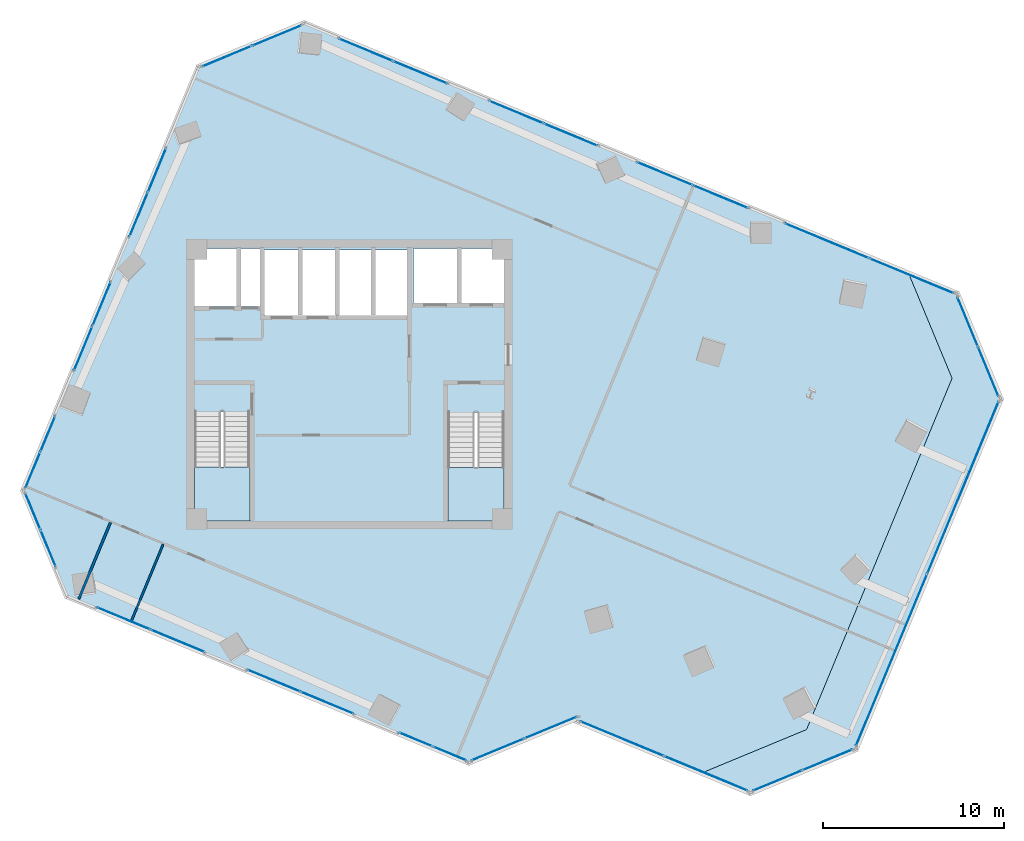
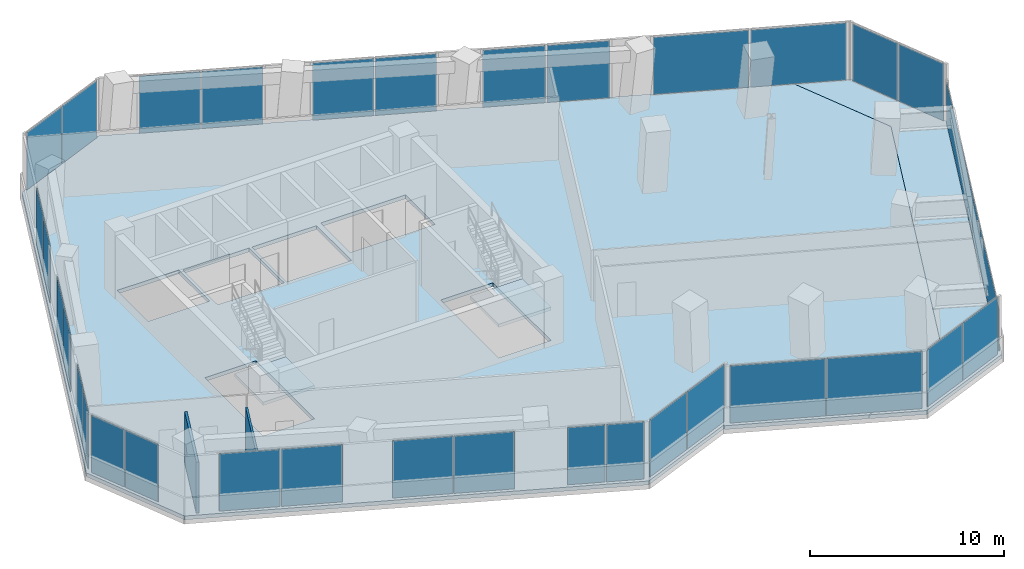
# One storey, part 17 of 23: 34 plates, 4 slabs, 2 walls, 19 elements without a shape of their own.
"""IFC4 building model written with IfcOpenShell, lengths in metres."""

from ifc_helpers import new_model, si_unit, direction, frame, frame_2d, origin, origin_2d, place, context, subcontext, project, spatial, polyline, rectangle, outline, extrude, source, transform, mapped, material, layer, layer_set, type_object, element, aggregate, save


model = new_model("IFC4")

# Units and contexts
model_context = context("Model", 3, precision=1e-05, world=origin(), true_north=direction((0.0, 1.0)))
body_context = subcontext(model_context, "Body", "Model", "MODEL_VIEW")
ifc_project = project(units=[si_unit("LENGTHUNIT", "METRE"), si_unit("AREAUNIT", "SQUARE_METRE"), si_unit("VOLUMEUNIT", "CUBIC_METRE"), si_unit("PLANEANGLEUNIT", "RADIAN"), si_unit("MASSUNIT", "GRAM", prefix="KILO")], contexts=[model_context])

# Site, building, storey
site_placement = place(None, origin())
site = spatial("IfcSite", under=ifc_project, at=site_placement, CompositionType="ELEMENT")
building_placement = place(site_placement, origin())
building = spatial("IfcBuilding", under=site, at=building_placement, Name="Torre Montelarca", CompositionType="ELEMENT")
storey_placement = place(building_placement, frame((0.0, 0.0, 145.60009765625)))
storey = spatial("IfcBuildingStorey", under=building, at=storey_placement, Name="L32", CompositionType="ELEMENT", Elevation=145.60009765625)

# Slabs
ifc_material_1 = material(Name="Concrete C40/50", Category="concrete")
ifc_layer_1 = layer(ifc_material_1, 0.239990234375, Name="Concrete C40/50", Category="concrete")
ifc_layer_set_1 = layer_set([ifc_layer_1], Name="Concrete C40/50")
slab_type_1 = type_object("IfcSlabType", Name="SL-FLR-240", PredefinedType="FLOOR", material=ifc_layer_set_1)
slab_1_placement = place(storey_placement, frame((0.0, 0.0, -0.239990234375)))
element("IfcSlab", 1, at=slab_1_placement, inside=storey, type_object=slab_type_1, Name="L32 Structural Floor Slab", PredefinedType="FLOOR", context=body_context, shape_type="SweptSolid", body=[
    extrude(outline(polyline([(24.60546875, 11.01416015625), (30.485107421875, 13.449462890625), (30.44677734375, 13.357177734375), (37.375732421875, 10.487060546875), (43.25537109375, 12.92236328125), (51.291748046875, 32.323974609375), (48.856201171875, 38.203369140625), (15.50439453125, 52.018310546875), (9.624755859375, 49.5830078125), (-0.095458984375, 26.1162109375), (2.340087890625, 20.23681640625), (24.60546875, 11.01416015625)]), holes=[polyline([(26.550048828125, 24.449951171875), (23.43994140625, 24.449951171875), (23.43994140625, 30.429931640625), (26.550048828125, 30.429931640625), (26.550048828125, 24.449951171875)]), polyline([(9.449951171875, 24.449951171875), (9.449951171875, 30.4599609375), (12.5, 30.4599609375), (12.5, 24.449951171875), (9.449951171875, 24.449951171875)]), polyline([(17.25, 35.800048828125), (13.300048828125, 35.800048828125), (13.300048828125, 39.39990234375), (17.25, 39.39990234375), (17.25, 35.800048828125)]), polyline([(21.25, 39.39990234375), (21.25, 35.800048828125), (17.39990234375, 35.800048828125), (17.39990234375, 39.39990234375), (21.25, 39.39990234375)]), polyline([(13.1201171875, 36.300048828125), (9.449951171875, 36.300048828125), (9.449951171875, 39.5), (13.1201171875, 39.5), (13.1201171875, 36.300048828125)]), polyline([(26.60009765625, 36.449951171875), (21.550048828125, 36.449951171875), (21.550048828125, 39.5), (26.60009765625, 39.5), (26.60009765625, 36.449951171875)])]), origin(), (0.0, 0.0, 1.0), 0.239990234375),
])
slab_2_placement = place(storey_placement, frame((0.0, 0.0, -0.239990234375)))
element("IfcSlab", 2, at=slab_2_placement, inside=storey, type_object=slab_type_1, Name="L32 Sliding Tray Winter Garden Floor Slab E1", PredefinedType="FLOOR", context=body_context, shape_type="SweptSolid", body=[
    extrude(outline(polyline([(48.856201171875, 38.203369140625), (51.291748046875, 32.323974609375), (43.25537109375, 12.92236328125), (37.375732421875, 10.487060546875), (40.1474609375, 9.339111328125), (46.027099609375, 11.7744140625), (54.063232421875, 31.17578125), (51.6279296875, 37.055419921875), (48.856201171875, 38.203369140625)])), origin(), (0.0, 0.0, 1.0), 0.239990234375),
])

# Stair, slab
stair_type_1 = type_object("IfcStairType", Name="ST-CORE-ST1", PredefinedType="HALF_TURN_STAIR", material=ifc_material_1)
stair_1_placement = place(storey_placement, origin())
stair_1 = element("IfcStair", 3, at=stair_1_placement, inside=storey, type_object=stair_type_1, Name="L32 Protected Exit Stair ST1", PredefinedType="HALF_TURN_STAIR")
ifc_layer_2 = layer(ifc_material_1, 0.199951171875, Name="Concrete C40/50", Category="concrete")
ifc_layer_set_2 = layer_set([ifc_layer_2], Name="Concrete C40/50")
slab_type_2 = type_object("IfcSlabType", Name="SL-ST-LAND-ST1", PredefinedType="LANDING", material=ifc_layer_set_2)
slab_3_placement = place(storey_placement, frame((0.0, 0.0, 1.89990234375)))
slab_3 = element("IfcSlab", 4, at=slab_3_placement, type_object=slab_type_2, Name="ST1 landing 1", PredefinedType="LANDING", context=body_context, shape_type="SweptSolid", body=[
    extrude(outline(polyline([(9.449951171875, 27.419921875), (9.449951171875, 24.449951171875), (12.5, 24.449951171875), (12.5, 27.419921875), (9.449951171875, 27.419921875)])), origin(), (0.0, 0.0, 1.0), 0.199951171875),
])
aggregate(stair_1, [slab_3])

stair_type_2 = type_object("IfcStairType", Name="ST-CORE-ST2", PredefinedType="HALF_TURN_STAIR", material=ifc_material_1)
stair_2_placement = place(storey_placement, origin())
stair_2 = element("IfcStair", 5, at=stair_2_placement, inside=storey, type_object=stair_type_2, Name="L32 Protected Exit Stair ST2", PredefinedType="HALF_TURN_STAIR")
ifc_layer_3 = layer(ifc_material_1, 0.199951171875, Name="Concrete C40/50", Category="concrete")
ifc_layer_set_3 = layer_set([ifc_layer_3], Name="Concrete C40/50")
slab_type_3 = type_object("IfcSlabType", Name="SL-ST-LAND-ST2", PredefinedType="LANDING", material=ifc_layer_set_3)
slab_4_placement = place(storey_placement, frame((0.0, 0.0, 1.89990234375)))
slab_4 = element("IfcSlab", 6, at=slab_4_placement, type_object=slab_type_3, Name="ST2 landing 1", PredefinedType="LANDING", context=body_context, shape_type="SweptSolid", body=[
    extrude(outline(polyline([(23.43994140625, 27.389892578125), (23.43994140625, 24.449951171875), (26.550048828125, 24.449951171875), (26.550048828125, 27.389892578125), (23.43994140625, 27.389892578125)])), origin(), (0.0, 0.0, 1.0), 0.199951171875),
])
aggregate(stair_2, [slab_4])

# Curtain wall, plates
ifc_material_2 = material(Name="Insulated low-E laminated glass", Category="glass")
curtain_wall_type = type_object("IfcCurtainWallType", Name="CW-SYS-Z2", PredefinedType="USERDEFINED", material=ifc_material_2)
curtain_wall_1_placement = place(storey_placement, origin())
curtain_wall_1 = element("IfcCurtainWall", 7, at=curtain_wall_1_placement, inside=storey, type_object=curtain_wall_type, Name="L32 Curtain Wall Run CW-T3-L32-E01-B1", ObjectType="UNITISED GLAZING", PredefinedType="USERDEFINED")
ifc_layer_4 = layer(ifc_material_2, 0.031982421875, Name="Insulated low-E laminated glass", Category="glass")
ifc_layer_set_4 = layer_set([ifc_layer_4], Name="Insulated low-E laminated glass")
plate_type = type_object("IfcPlateType", Name="CWP-GLZ-32", PredefinedType="CURTAIN_PANEL", material=ifc_layer_set_4)
shared_shape_1 = source(origin(), body_context, "Body", "SweptSolid", [
    extrude(rectangle(XDim=3.160400390625, YDim=0.031982421875, at=origin_2d()), origin(), (0.0, 0.0, 1.0), 3.590087890625),
])
plate_1_placement = place(storey_placement, frame((5.531005859375, 19.0556640625, 0.06494140625), z_axis=(0.0, 0.0, 1.0), x_axis=(0.923879530347, -0.38268343759, 0.0)))
plate_1 = element("IfcPlate", 8, at=plate_1_placement, type_object=plate_type, Name="CW panel 1.1", PredefinedType="CURTAIN_PANEL", context=body_context, shape_type="MappedRepresentation", body=[
    mapped(shared_shape_1, transform((0.0, 0.0, 0.0), scale=1.0)),
])
plate_2_placement = place(storey_placement, frame((8.510986328125, 17.821533203125, 0.06494140625), z_axis=(0.0, 0.0, 1.0), x_axis=(0.923879530347, -0.38268343759, 0.0)))
plate_2 = element("IfcPlate", 9, at=plate_2_placement, type_object=plate_type, Name="CW panel 2.1", PredefinedType="CURTAIN_PANEL", context=body_context, shape_type="MappedRepresentation", body=[
    mapped(shared_shape_1, transform((0.0, 0.0, 0.0), scale=1.0)),
])
aggregate(curtain_wall_1, [plate_1, plate_2])

curtain_wall_2_placement = place(storey_placement, origin())
curtain_wall_2 = element("IfcCurtainWall", 10, at=curtain_wall_2_placement, inside=storey, type_object=curtain_wall_type, Name="L32 Curtain Wall Run CW-T3-L32-E01-B2", ObjectType="UNITISED GLAZING", PredefinedType="USERDEFINED")
shared_shape_2 = source(origin(), body_context, "Body", "SweptSolid", [
    extrude(rectangle(XDim=3.121826171875, YDim=0.031982421875, at=origin_2d()), origin(), (0.0, 0.0, 1.0), 3.590087890625),
])
plate_3_placement = place(storey_placement, frame((13.828125, 15.618896484375, 0.06494140625), z_axis=(0.0, 0.0, 1.0), x_axis=(0.92387996931, -0.382682377839, 0.0)))
plate_3 = element("IfcPlate", 11, at=plate_3_placement, type_object=plate_type, Name="CW panel 1.1", PredefinedType="CURTAIN_PANEL", context=body_context, shape_type="MappedRepresentation", body=[
    mapped(shared_shape_2, transform((0.0, 0.0, 0.0), scale=1.0)),
])
plate_4_placement = place(storey_placement, frame((16.772216796875, 14.3994140625, 0.06494140625), z_axis=(0.0, 0.0, 1.0), x_axis=(0.92387996931, -0.382682377839, 0.0)))
plate_4 = element("IfcPlate", 12, at=plate_4_placement, type_object=plate_type, Name="CW panel 2.1", PredefinedType="CURTAIN_PANEL", context=body_context, shape_type="MappedRepresentation", body=[
    mapped(shared_shape_2, transform((0.0, 0.0, 0.0), scale=1.0)),
])
aggregate(curtain_wall_2, [plate_3, plate_4])

curtain_wall_3_placement = place(storey_placement, origin())
curtain_wall_3 = element("IfcCurtainWall", 13, at=curtain_wall_3_placement, inside=storey, type_object=curtain_wall_type, Name="L32 Curtain Wall Run CW-T3-L32-E01-B3", ObjectType="UNITISED GLAZING", PredefinedType="USERDEFINED")
shared_shape_3 = source(origin(), body_context, "Body", "SweptSolid", [
    extrude(rectangle(XDim=1.95458984375, YDim=0.031982421875, at=origin_2d()), origin(), (0.0, 0.0, 1.0), 3.590087890625),
])
plate_5_placement = place(storey_placement, frame((21.673095703125, 12.369384765625, 0.06494140625), z_axis=(0.0, 0.0, 1.0), x_axis=(0.923885869728, -0.382668132611, 0.0)))
plate_5 = element("IfcPlate", 14, at=plate_5_placement, type_object=plate_type, Name="CW panel 1.1", PredefinedType="CURTAIN_PANEL", context=body_context, shape_type="MappedRepresentation", body=[
    mapped(shared_shape_3, transform((0.0, 0.0, 0.0), scale=1.0)),
])
plate_6_placement = place(storey_placement, frame((23.5390625, 11.596435546875, 0.06494140625), z_axis=(0.0, 0.0, 1.0), x_axis=(0.923885869728, -0.382668132611, 0.0)))
plate_6 = element("IfcPlate", 15, at=plate_6_placement, type_object=plate_type, Name="CW panel 2.1", PredefinedType="CURTAIN_PANEL", context=body_context, shape_type="MappedRepresentation", body=[
    mapped(shared_shape_3, transform((0.0, 0.0, 0.0), scale=1.0)),
])
aggregate(curtain_wall_3, [plate_5, plate_6])

curtain_wall_4_placement = place(storey_placement, origin())
curtain_wall_4 = element("IfcCurtainWall", 16, at=curtain_wall_4_placement, inside=storey, type_object=curtain_wall_type, Name="L32 Curtain Wall Run CW-T3-L32-E05-B1", ObjectType="UNITISED GLAZING", PredefinedType="USERDEFINED")
shared_shape_4 = source(origin(), body_context, "Body", "SweptSolid", [
    extrude(rectangle(XDim=2.918701171875, YDim=0.031982421875, at=origin_2d()), origin(), (0.0, 0.0, 1.0), 3.590087890625),
])
plate_7_placement = place(storey_placement, frame((41.6591796875, 10.10595703125, 0.06494140625), z_axis=(0.0, 0.0, 1.0), x_axis=(0.923888535136, 0.382661697384, 0.0)))
plate_7 = element("IfcPlate", 17, at=plate_7_placement, type_object=plate_type, Name="CW panel 1.1", PredefinedType="CURTAIN_PANEL", context=body_context, shape_type="MappedRepresentation", body=[
    mapped(shared_shape_4, transform((0.0, 0.0, 0.0), scale=1.0)),
])
plate_8_placement = place(storey_placement, frame((44.415771484375, 11.24755859375, 0.06494140625), z_axis=(0.0, 0.0, 1.0), x_axis=(0.923888535136, 0.382661697384, 0.0)))
plate_8 = element("IfcPlate", 18, at=plate_8_placement, type_object=plate_type, Name="CW panel 2.1", PredefinedType="CURTAIN_PANEL", context=body_context, shape_type="MappedRepresentation", body=[
    mapped(shared_shape_4, transform((0.0, 0.0, 0.0), scale=1.0)),
])
aggregate(curtain_wall_4, [plate_7, plate_8])

curtain_wall_5_placement = place(storey_placement, origin())
curtain_wall_5 = element("IfcCurtainWall", 19, at=curtain_wall_5_placement, inside=storey, type_object=curtain_wall_type, Name="L32 Curtain Wall Run CW-T3-L32-E09-B1", ObjectType="UNITISED GLAZING", PredefinedType="USERDEFINED")
plate_9_placement = place(storey_placement, frame((13.992431640625, 51.25146484375, 0.06494140625), z_axis=(0.0, 0.0, 1.0), x_axis=(-0.923882674262, -0.38267584742, 0.0)))
plate_9 = element("IfcPlate", 20, at=plate_9_placement, type_object=plate_type, Name="CW panel 1.1", PredefinedType="CURTAIN_PANEL", context=body_context, shape_type="MappedRepresentation", body=[
    mapped(shared_shape_4, transform((0.0, 0.0, 0.0), scale=1.0)),
])
plate_10_placement = place(storey_placement, frame((11.236083984375, 50.109619140625, 0.06494140625), z_axis=(0.0, 0.0, 1.0), x_axis=(-0.923882674262, -0.38267584742, 0.0)))
plate_10 = element("IfcPlate", 21, at=plate_10_placement, type_object=plate_type, Name="CW panel 2.1", PredefinedType="CURTAIN_PANEL", context=body_context, shape_type="MappedRepresentation", body=[
    mapped(shared_shape_4, transform((0.0, 0.0, 0.0), scale=1.0)),
])
aggregate(curtain_wall_5, [plate_9, plate_10])

curtain_wall_6_placement = place(storey_placement, origin())
curtain_wall_6 = element("IfcCurtainWall", 22, at=curtain_wall_6_placement, inside=storey, type_object=curtain_wall_type, Name="L32 Curtain Wall Run CW-T3-L32-E08-B2", ObjectType="UNITISED GLAZING", PredefinedType="USERDEFINED")
shared_shape_5 = source(origin(), body_context, "Body", "SweptSolid", [
    extrude(rectangle(XDim=3.26513671875, YDim=0.031982421875, at=origin_2d()), origin(), (0.0, 0.0, 1.0), 3.590087890625),
])
plate_11_placement = place(storey_placement, frame((38.5029296875, 42.351318359375, 0.06494140625), z_axis=(0.0, 0.0, 1.0), x_axis=(-0.923880372037, 0.382681405565, 0.0)))
plate_11 = element("IfcPlate", 23, at=plate_11_placement, type_object=plate_type, Name="CW panel 1.1", PredefinedType="CURTAIN_PANEL", context=body_context, shape_type="MappedRepresentation", body=[
    mapped(shared_shape_5, transform((0.0, 0.0, 0.0), scale=1.0)),
])
plate_12_placement = place(storey_placement, frame((35.42626953125, 43.625732421875, 0.06494140625), z_axis=(0.0, 0.0, 1.0), x_axis=(-0.923880372037, 0.382681405565, 0.0)))
plate_12 = element("IfcPlate", 24, at=plate_12_placement, type_object=plate_type, Name="CW panel 2.1", PredefinedType="CURTAIN_PANEL", context=body_context, shape_type="MappedRepresentation", body=[
    mapped(shared_shape_5, transform((0.0, 0.0, 0.0), scale=1.0)),
])
aggregate(curtain_wall_6, [plate_11, plate_12])

curtain_wall_7_placement = place(storey_placement, origin())
curtain_wall_7 = element("IfcCurtainWall", 25, at=curtain_wall_7_placement, inside=storey, type_object=curtain_wall_type, Name="L32 Curtain Wall Run CW-T3-L32-E08-B3", ObjectType="UNITISED GLAZING", PredefinedType="USERDEFINED")
shared_shape_6 = source(origin(), body_context, "Body", "SweptSolid", [
    extrude(rectangle(XDim=3.181884765625, YDim=0.031982421875, at=origin_2d()), origin(), (0.0, 0.0, 1.0), 3.590087890625),
])
plate_13_placement = place(storey_placement, frame((30.2265625, 45.779296875, 0.06494140625), z_axis=(0.0, 0.0, 1.0), x_axis=(-0.923880992332, 0.382679908026, 0.0)))
plate_13 = element("IfcPlate", 26, at=plate_13_placement, type_object=plate_type, Name="CW panel 1.1", PredefinedType="CURTAIN_PANEL", context=body_context, shape_type="MappedRepresentation", body=[
    mapped(shared_shape_6, transform((0.0, 0.0, 0.0), scale=1.0)),
])
plate_14_placement = place(storey_placement, frame((27.226806640625, 47.02197265625, 0.06494140625), z_axis=(0.0, 0.0, 1.0), x_axis=(-0.923880992332, 0.382679908026, 0.0)))
plate_14 = element("IfcPlate", 27, at=plate_14_placement, type_object=plate_type, Name="CW panel 2.1", PredefinedType="CURTAIN_PANEL", context=body_context, shape_type="MappedRepresentation", body=[
    mapped(shared_shape_6, transform((0.0, 0.0, 0.0), scale=1.0)),
])
aggregate(curtain_wall_7, [plate_13, plate_14])

curtain_wall_8_placement = place(storey_placement, origin())
curtain_wall_8 = element("IfcCurtainWall", 28, at=curtain_wall_8_placement, inside=storey, type_object=curtain_wall_type, Name="L32 Curtain Wall Run CW-T3-L32-E08-B4", ObjectType="UNITISED GLAZING", PredefinedType="USERDEFINED")
shared_shape_7 = source(origin(), body_context, "Body", "SweptSolid", [
    extrude(rectangle(XDim=3.180908203125, YDim=0.031982421875, at=origin_2d()), origin(), (0.0, 0.0, 1.0), 3.590087890625),
])
plate_15_placement = place(storey_placement, frame((21.912109375, 49.223388671875, 0.06494140625), z_axis=(0.0, 0.0, 1.0), x_axis=(-0.923879459936, 0.382683607577, 0.0)))
plate_15 = element("IfcPlate", 29, at=plate_15_placement, type_object=plate_type, Name="CW panel 1.1", PredefinedType="CURTAIN_PANEL", context=body_context, shape_type="MappedRepresentation", body=[
    mapped(shared_shape_7, transform((0.0, 0.0, 0.0), scale=1.0)),
])
plate_16_placement = place(storey_placement, frame((18.913330078125, 50.465576171875, 0.06494140625), z_axis=(0.0, 0.0, 1.0), x_axis=(-0.923879459936, 0.382683607577, 0.0)))
plate_16 = element("IfcPlate", 30, at=plate_16_placement, type_object=plate_type, Name="CW panel 2.1", PredefinedType="CURTAIN_PANEL", context=body_context, shape_type="MappedRepresentation", body=[
    mapped(shared_shape_7, transform((0.0, 0.0, 0.0), scale=1.0)),
])
aggregate(curtain_wall_8, [plate_15, plate_16])

curtain_wall_9_placement = place(storey_placement, origin())
curtain_wall_9 = element("IfcCurtainWall", 31, at=curtain_wall_9_placement, inside=storey, type_object=curtain_wall_type, Name="L32 Curtain Wall Run CW-T3-L32-E02-B1", ObjectType="UNITISED GLAZING", PredefinedType="USERDEFINED")
shared_shape_8 = source(origin(), body_context, "Body", "SweptSolid", [
    extrude(rectangle(XDim=3.1025390625, YDim=0.031982421875, at=origin_2d()), origin(), (0.0, 0.0, 1.0), 3.590087890625),
])
plate_17_placement = place(storey_placement, frame((26.2021484375, 11.816162109375, 0.06494140625), z_axis=(0.0, 0.0, 1.0), x_axis=(0.92388524298, 0.382669645783, 0.0)))
plate_17 = element("IfcPlate", 32, at=plate_17_placement, type_object=plate_type, Name="CW panel 1.1", PredefinedType="CURTAIN_PANEL", context=body_context, shape_type="MappedRepresentation", body=[
    mapped(shared_shape_8, transform((0.0, 0.0, 0.0), scale=1.0)),
])
plate_18_placement = place(storey_placement, frame((29.128662109375, 13.0283203125, 0.06494140625), z_axis=(0.0, 0.0, 1.0), x_axis=(0.92388524298, 0.382669645783, 0.0)))
plate_18 = element("IfcPlate", 33, at=plate_18_placement, type_object=plate_type, Name="CW panel 2.1", PredefinedType="CURTAIN_PANEL", context=body_context, shape_type="MappedRepresentation", body=[
    mapped(shared_shape_8, transform((0.0, 0.0, 0.0), scale=1.0)),
])
aggregate(curtain_wall_9, [plate_17, plate_18])

curtain_wall_10_placement = place(storey_placement, origin())
curtain_wall_10 = element("IfcCurtainWall", 34, at=curtain_wall_10_placement, inside=storey, type_object=curtain_wall_type, Name="L32 Curtain Wall Run CW-T3-L32-E04-B1", ObjectType="UNITISED GLAZING", PredefinedType="USERDEFINED")
shared_shape_9 = source(origin(), body_context, "Body", "SweptSolid", [
    extrude(rectangle(XDim=4.948486328125, YDim=0.031982421875, at=origin_2d()), origin(), (0.0, 0.0, 1.0), 3.590087890625),
])
plate_19_placement = place(storey_placement, frame((33.066162109375, 12.412841796875, 0.06494140625), z_axis=(0.0, 0.0, 1.0), x_axis=(0.923884591678, -0.382671218228, 0.0)))
plate_19 = element("IfcPlate", 35, at=plate_19_placement, type_object=plate_type, Name="CW panel 1.1", PredefinedType="CURTAIN_PANEL", context=body_context, shape_type="MappedRepresentation", body=[
    mapped(shared_shape_9, transform((0.0, 0.0, 0.0), scale=1.0)),
])
plate_20_placement = place(storey_placement, frame((37.697998046875, 10.494384765625, 0.06494140625), z_axis=(0.0, 0.0, 1.0), x_axis=(0.923884591678, -0.382671218228, 0.0)))
plate_20 = element("IfcPlate", 36, at=plate_20_placement, type_object=plate_type, Name="CW panel 2.1", PredefinedType="CURTAIN_PANEL", context=body_context, shape_type="MappedRepresentation", body=[
    mapped(shared_shape_9, transform((0.0, 0.0, 0.0), scale=1.0)),
])
aggregate(curtain_wall_10, [plate_19, plate_20])

curtain_wall_11_placement = place(storey_placement, origin())
curtain_wall_11 = element("IfcCurtainWall", 37, at=curtain_wall_11_placement, inside=storey, type_object=curtain_wall_type, Name="L32 Curtain Wall Run CW-T3-L32-E07-B1", ObjectType="UNITISED GLAZING", PredefinedType="USERDEFINED")
shared_shape_10 = source(origin(), body_context, "Body", "SweptSolid", [
    extrude(rectangle(XDim=2.91845703125, YDim=0.031982421875, at=origin_2d()), origin(), (0.0, 0.0, 1.0), 3.590087890625),
])
plate_21_placement = place(storey_placement, frame((53.29638671875, 32.6875, 0.06494140625), z_axis=(0.0, 0.0, 1.0), x_axis=(-0.38266755826, 0.923886107621, 0.0)))
plate_21 = element("IfcPlate", 38, at=plate_21_placement, type_object=plate_type, Name="CW panel 1.1", PredefinedType="CURTAIN_PANEL", context=body_context, shape_type="MappedRepresentation", body=[
    mapped(shared_shape_10, transform((0.0, 0.0, 0.0), scale=1.0)),
])
plate_22_placement = place(storey_placement, frame((52.15478515625, 35.444091796875, 0.06494140625), z_axis=(0.0, 0.0, 1.0), x_axis=(-0.38266755826, 0.923886107621, 0.0)))
plate_22 = element("IfcPlate", 39, at=plate_22_placement, type_object=plate_type, Name="CW panel 2.1", PredefinedType="CURTAIN_PANEL", context=body_context, shape_type="MappedRepresentation", body=[
    mapped(shared_shape_10, transform((0.0, 0.0, 0.0), scale=1.0)),
])
aggregate(curtain_wall_11, [plate_21, plate_22])

curtain_wall_12_placement = place(storey_placement, origin())
curtain_wall_12 = element("IfcCurtainWall", 40, at=curtain_wall_12_placement, inside=storey, type_object=curtain_wall_type, Name="L32 Curtain Wall Run CW-T3-L32-E08-B1", ObjectType="UNITISED GLAZING", PredefinedType="USERDEFINED")
shared_shape_11 = source(origin(), body_context, "Body", "SweptSolid", [
    extrude(rectangle(XDim=4.9921875, YDim=0.031982421875, at=origin_2d()), origin(), (0.0, 0.0, 1.0), 3.590087890625),
])
plate_23_placement = place(storey_placement, frame((49.058837890625, 37.978759765625, 0.06494140625), z_axis=(0.0, 0.0, 1.0), x_axis=(-0.923880575394, 0.382680914615, 0.0)))
plate_23 = element("IfcPlate", 41, at=plate_23_placement, type_object=plate_type, Name="CW panel 1.1", PredefinedType="CURTAIN_PANEL", context=body_context, shape_type="MappedRepresentation", body=[
    mapped(shared_shape_11, transform((0.0, 0.0, 0.0), scale=1.0)),
])
plate_24_placement = place(storey_placement, frame((44.38671875, 39.9140625, 0.06494140625), z_axis=(0.0, 0.0, 1.0), x_axis=(-0.923880575394, 0.382680914615, 0.0)))
plate_24 = element("IfcPlate", 42, at=plate_24_placement, type_object=plate_type, Name="CW panel 2.1", PredefinedType="CURTAIN_PANEL", context=body_context, shape_type="MappedRepresentation", body=[
    mapped(shared_shape_11, transform((0.0, 0.0, 0.0), scale=1.0)),
])
aggregate(curtain_wall_12, [plate_23, plate_24])

curtain_wall_13_placement = place(storey_placement, origin())
curtain_wall_13 = element("IfcCurtainWall", 43, at=curtain_wall_13_placement, inside=storey, type_object=curtain_wall_type, Name="L32 Curtain Wall Run CW-T3-L32-E10-B3", ObjectType="UNITISED GLAZING", PredefinedType="USERDEFINED")
shared_shape_12 = source(origin(), body_context, "Body", "SweptSolid", [
    extrude(rectangle(XDim=2.1044921875, YDim=0.031982421875, at=origin_2d()), origin(), (0.0, 0.0, 1.0), 3.590087890625),
])
plate_25_placement = place(storey_placement, frame((1.345947265625, 29.25634765625, 0.06494140625), z_axis=(0.0, 0.0, 1.0), x_axis=(-0.38268467971, -0.923879015843, 0.0)))
plate_25 = element("IfcPlate", 44, at=plate_25_placement, type_object=plate_type, Name="CW panel 1.1", PredefinedType="CURTAIN_PANEL", context=body_context, shape_type="MappedRepresentation", body=[
    mapped(shared_shape_12, transform((0.0, 0.0, 0.0), scale=1.0)),
])
plate_26_placement = place(storey_placement, frame((0.515869140625, 27.251953125, 0.06494140625), z_axis=(0.0, 0.0, 1.0), x_axis=(-0.38268467971, -0.923879015843, 0.0)))
plate_26 = element("IfcPlate", 45, at=plate_26_placement, type_object=plate_type, Name="CW panel 2.1", PredefinedType="CURTAIN_PANEL", context=body_context, shape_type="MappedRepresentation", body=[
    mapped(shared_shape_12, transform((0.0, 0.0, 0.0), scale=1.0)),
])
aggregate(curtain_wall_13, [plate_25, plate_26])

curtain_wall_14_placement = place(storey_placement, origin())
curtain_wall_14 = element("IfcCurtainWall", 46, at=curtain_wall_14_placement, inside=storey, type_object=curtain_wall_type, Name="L32 Curtain Wall Run CW-T3-L32-E06-B1", ObjectType="UNITISED GLAZING", PredefinedType="USERDEFINED")
shared_shape_13 = source(origin(), body_context, "Body", "SweptSolid", [
    extrude(rectangle(XDim=10.236572265625, YDim=0.031982421875, at=origin_2d()), origin(), (0.0, 0.0, 1.0), 2.64501953125),
])
plate_27_placement = place(storey_placement, frame((47.953857421875, 16.76611328125, 0.06494140625), z_axis=(0.0, 0.0, 1.0), x_axis=(0.38267897329, 0.923881379508, 0.0)))
plate_27 = element("IfcPlate", 47, at=plate_27_placement, type_object=plate_type, Name="CW panel 1.1", PredefinedType="CURTAIN_PANEL", context=body_context, shape_type="MappedRepresentation", body=[
    mapped(shared_shape_13, transform((0.0, 0.0, 0.0), scale=1.0)),
])
plate_28_placement = place(storey_placement, frame((51.896240234375, 26.283447265625, 0.06494140625), z_axis=(0.0, 0.0, 1.0), x_axis=(0.38267897329, 0.923881379508, 0.0)))
plate_28 = element("IfcPlate", 48, at=plate_28_placement, type_object=plate_type, Name="CW panel 2.1", PredefinedType="CURTAIN_PANEL", context=body_context, shape_type="MappedRepresentation", body=[
    mapped(shared_shape_13, transform((0.0, 0.0, 0.0), scale=1.0)),
])
aggregate(curtain_wall_14, [plate_27, plate_28])

curtain_wall_15_placement = place(storey_placement, origin())
curtain_wall_15 = element("IfcCurtainWall", 49, at=curtain_wall_15_placement, inside=storey, type_object=curtain_wall_type, Name="L32 Curtain Wall Run CW-T3-L32-E10-B1", ObjectType="UNITISED GLAZING", PredefinedType="USERDEFINED")
shared_shape_14 = source(origin(), body_context, "Body", "SweptSolid", [
    extrude(rectangle(XDim=2.588623046875, YDim=0.031982421875, at=origin_2d()), origin(), (0.0, 0.0, 1.0), 3.590087890625),
])
plate_29_placement = place(storey_placement, frame((7.376220703125, 43.81494140625, 0.06494140625), z_axis=(0.0, 0.0, 1.0), x_axis=(-0.382691532323, -0.923876177357, 0.0)))
plate_29 = element("IfcPlate", 50, at=plate_29_placement, type_object=plate_type, Name="CW panel 1.1", PredefinedType="CURTAIN_PANEL", context=body_context, shape_type="MappedRepresentation", body=[
    mapped(shared_shape_14, transform((0.0, 0.0, 0.0), scale=1.0)),
])
plate_30_placement = place(storey_placement, frame((6.36083984375, 41.36328125, 0.06494140625), z_axis=(0.0, 0.0, 1.0), x_axis=(-0.382691532323, -0.923876177357, 0.0)))
plate_30 = element("IfcPlate", 51, at=plate_30_placement, type_object=plate_type, Name="CW panel 2.1", PredefinedType="CURTAIN_PANEL", context=body_context, shape_type="MappedRepresentation", body=[
    mapped(shared_shape_14, transform((0.0, 0.0, 0.0), scale=1.0)),
])
aggregate(curtain_wall_15, [plate_29, plate_30])

curtain_wall_16_placement = place(storey_placement, origin())
curtain_wall_16 = element("IfcCurtainWall", 52, at=curtain_wall_16_placement, inside=storey, type_object=curtain_wall_type, Name="L32 Curtain Wall Run CW-T3-L32-E10-B2", ObjectType="UNITISED GLAZING", PredefinedType="USERDEFINED")
shared_shape_15 = source(origin(), body_context, "Body", "SweptSolid", [
    extrude(rectangle(XDim=2.587646484375, YDim=0.031982421875, at=origin_2d()), origin(), (0.0, 0.0, 1.0), 3.590087890625),
])
plate_31_placement = place(storey_placement, frame((4.31494140625, 36.42431640625, 0.06494140625), z_axis=(0.0, 0.0, 1.0), x_axis=(-0.382682886833, -0.923879758478, 0.0)))
plate_31 = element("IfcPlate", 53, at=plate_31_placement, type_object=plate_type, Name="CW panel 1.1", PredefinedType="CURTAIN_PANEL", context=body_context, shape_type="MappedRepresentation", body=[
    mapped(shared_shape_15, transform((0.0, 0.0, 0.0), scale=1.0)),
])
plate_32_placement = place(storey_placement, frame((3.2998046875, 33.973388671875, 0.06494140625), z_axis=(0.0, 0.0, 1.0), x_axis=(-0.382682886833, -0.923879758478, 0.0)))
plate_32 = element("IfcPlate", 54, at=plate_32_placement, type_object=plate_type, Name="CW panel 2.1", PredefinedType="CURTAIN_PANEL", context=body_context, shape_type="MappedRepresentation", body=[
    mapped(shared_shape_15, transform((0.0, 0.0, 0.0), scale=1.0)),
])
aggregate(curtain_wall_16, [plate_31, plate_32])

curtain_wall_17_placement = place(storey_placement, origin())
curtain_wall_17 = element("IfcCurtainWall", 55, at=curtain_wall_17_placement, inside=storey, type_object=curtain_wall_type, Name="L32 Curtain Wall Run CW-T3-L32-E11-B1", ObjectType="UNITISED GLAZING", PredefinedType="USERDEFINED")
shared_shape_16 = source(origin(), body_context, "Body", "SweptSolid", [
    extrude(rectangle(XDim=2.138427734375, YDim=0.031982421875, at=origin_2d()), origin(), (0.0, 0.0, 1.0), 3.590087890625),
])
plate_33_placement = place(storey_placement, frame((0.522216796875, 24.96484375, 0.06494140625), z_axis=(0.0, 0.0, 1.0), x_axis=(0.382671072895, -0.923884651874, 0.0)))
plate_33 = element("IfcPlate", 56, at=plate_33_placement, type_object=plate_type, Name="CW panel 1.1", PredefinedType="CURTAIN_PANEL", context=body_context, shape_type="MappedRepresentation", body=[
    mapped(shared_shape_16, transform((0.0, 0.0, 0.0), scale=1.0)),
])
plate_34_placement = place(storey_placement, frame((1.365478515625, 22.92919921875, 0.06494140625), z_axis=(0.0, 0.0, 1.0), x_axis=(0.382671072895, -0.923884651874, 0.0)))
plate_34 = element("IfcPlate", 57, at=plate_34_placement, type_object=plate_type, Name="CW panel 2.1", PredefinedType="CURTAIN_PANEL", context=body_context, shape_type="MappedRepresentation", body=[
    mapped(shared_shape_16, transform((0.0, 0.0, 0.0), scale=1.0)),
])
aggregate(curtain_wall_17, [plate_33, plate_34])

# Walls
ifc_material_3 = material(Name="Gypsum plasterboard on steel stud", Category="steel")
ifc_layer_5 = layer(ifc_material_3, 0.114990234375, Name="Gypsum plasterboard on steel stud", Category="steel")
ifc_layer_set_5 = layer_set([ifc_layer_5], Name="Gypsum plasterboard on steel stud")
wall_type_1 = type_object("IfcWallType", Name="PW-PART-115", PredefinedType="PARTITIONING", material=ifc_layer_set_5)
wall_1_placement = place(storey_placement, frame((5.9658203125, 18.9296875, 0.0), z_axis=(0.0, 0.0, 1.0), x_axis=(0.382676631985, 0.923882349292, 0.0)))
element("IfcWall", 58, at=wall_1_placement, inside=storey, type_object=wall_type_1, Name="L32 Interior Partition W-L32-SWCDIV", PredefinedType="PARTITIONING", context=body_context, shape_type="SweptSolid", body=[
    extrude(rectangle(XDim=4.580078125, YDim=0.114990234375, at=frame_2d((2.2900390625, 0.0))), origin(), (0.0, 0.0, 1.0), 3.19482421875),
])
ifc_layer_6 = layer(ifc_material_3, 0.135009765625, Name="Gypsum plasterboard on steel stud", Category="steel")
ifc_layer_set_6 = layer_set([ifc_layer_6], Name="Gypsum plasterboard on steel stud")
wall_type_2 = type_object("IfcWallType", Name="PW-PART-135", PredefinedType="PARTITIONING", material=ifc_layer_set_6)
wall_2_placement = place(storey_placement, frame((3.055419921875, 20.13525390625, 0.0), z_axis=(0.0, 0.0, 1.0), x_axis=(0.382676631985, 0.923882349292, 0.0)))
element("IfcWall", 59, at=wall_2_placement, inside=storey, type_object=wall_type_2, Name="L32 Interior Partition W-L32-WCD", PredefinedType="PARTITIONING", context=body_context, shape_type="SweptSolid", body=[
    extrude(rectangle(XDim=4.580078125, YDim=0.135009765625, at=frame_2d((2.2900390625, 0.0))), origin(), (0.0, 0.0, 1.0), 3.19482421875),
])

save(model, "model.ifc")
